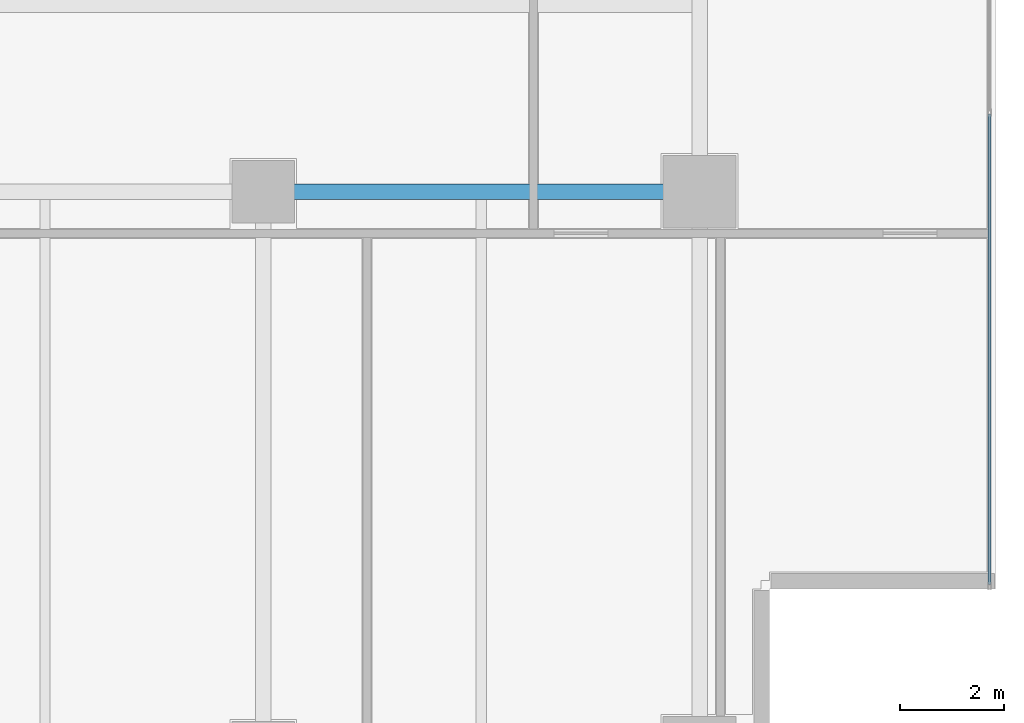
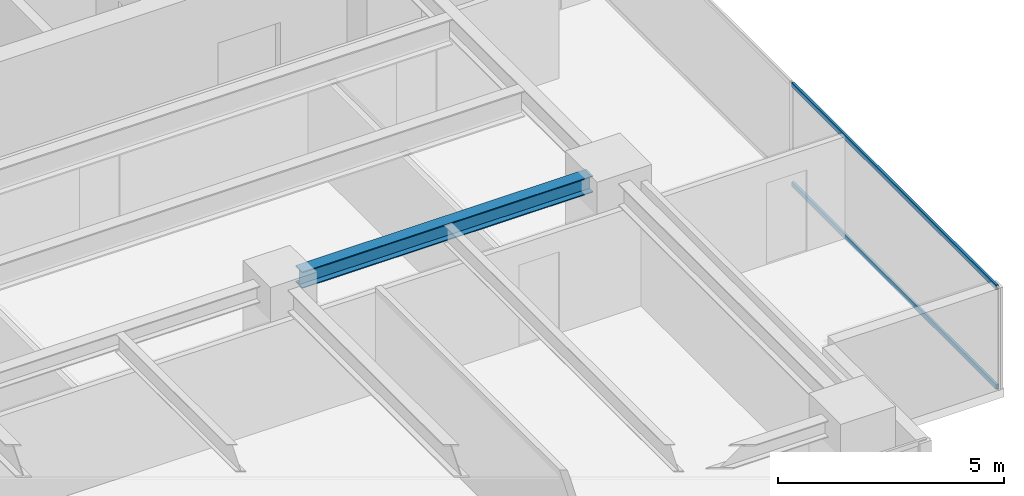
# One storey, part 12 of 25: 2 members, 1 beam, 1 element without a shape of its own.
"""IFC4 building model written with IfcOpenShell, lengths in metres."""

from ifc_helpers import new_model, si_unit, direction, frame, origin, origin_2d, place, context, subcontext, project, spatial, hollow_rectangle, i_section, extrude, source, transform, mapped, material, layer, layer_set, material_profile, profile_set, type_object, element, aggregate, save


model = new_model("IFC4")

# Units and contexts
model_context = context("Model", 3, precision=1e-05, world=origin(), true_north=direction((0.0, 1.0)))
body_context = subcontext(model_context, "Body", "Model", "MODEL_VIEW")
ifc_project = project(units=[si_unit("LENGTHUNIT", "METRE"), si_unit("AREAUNIT", "SQUARE_METRE"), si_unit("VOLUMEUNIT", "CUBIC_METRE"), si_unit("PLANEANGLEUNIT", "RADIAN"), si_unit("MASSUNIT", "GRAM", prefix="KILO")], contexts=[model_context])

# Site, building, storey
site_placement = place(None, origin())
site = spatial("IfcSite", under=ifc_project, at=site_placement, CompositionType="ELEMENT")
building_placement = place(site_placement, origin())
building = spatial("IfcBuilding", under=site, at=building_placement, Name="Sumidabori Civic Tower", CompositionType="ELEMENT")
storey_placement = place(building_placement, frame((0.0, 0.0, 246.800048828125)))
storey = spatial("IfcBuildingStorey", under=building, at=storey_placement, Name="L64", CompositionType="ELEMENT", Elevation=246.800048828125)

# Beam
ifc_material_1 = material(Name="Steel SN490", Category="steel")
ifc_material_profile_1 = material_profile(ifc_material_1, i_section(OverallWidth=0.300048828125, OverallDepth=0.449951171875, WebThickness=0.013916015625, FlangeThickness=0.02587890625, at=origin_2d()), Name="HE 450 B")
ifc_profile_set_1 = profile_set([ifc_material_profile_1], Name="Steel SN490")
beam_type = type_object("IfcBeamType", Name="BM-GIRD-450", PredefinedType="BEAM", material=ifc_profile_set_1)
shared_shape_1 = source(origin(), body_context, "Body", "SweptSolid", [
    extrude(i_section(OverallWidth=0.300048828125, OverallDepth=0.449951171875, WebThickness=0.013916015625, FlangeThickness=0.02587890625, at=origin_2d()), origin(), (0.0, 0.0, 1.0), 7.440185546875),
])
beam_placement = place(storey_placement, frame((8.8798828125, 0.0, 3.14501953125), z_axis=(1.0, 0.0, 0.0), x_axis=(0.0, 1.0, 0.0)))
element("IfcBeam", 1, at=beam_placement, inside=storey, type_object=beam_type, Name="Primary Girder L64 GX-08", PredefinedType="BEAM", context=body_context, shape_type="MappedRepresentation", body=[
    mapped(shared_shape_1, transform((0.0, 0.0, 0.0), x_axis=(1.0, 0.0, 0.0), y_axis=(0.0, 1.0, 0.0), z_axis=(0.0, 0.0, 1.0), scale=1.0)),
])

# Curtain wall, members
ifc_material_2 = material(Name="Anodised Bronze Aluminium AW-6063-T6", Category="aluminium")
ifc_layer = layer(ifc_material_2, 0.179931640625, Name="Anodised Bronze Aluminium AW-6063-T6")
ifc_layer_set = layer_set([ifc_layer], Name="Anodised Bronze Aluminium AW-6063-T6")
curtain_wall_type = type_object("IfcCurtainWallType", Name="CW-SYS-5", PredefinedType="NOTDEFINED", material=ifc_layer_set)
curtain_wall_placement = place(storey_placement, origin())
curtain_wall = element("IfcCurtainWall", 2, at=curtain_wall_placement, inside=storey, type_object=curtain_wall_type, Name="Curtain Wall CW:L64:R04", PredefinedType="NOTDEFINED")
ifc_material_profile_2 = material_profile(ifc_material_2, hollow_rectangle(XDim=0.06005859375, YDim=0.1298828125, WallThickness=0.0048828125, at=origin_2d()), Name="ALU TRANSOM 130x60")
ifc_profile_set_2 = profile_set([ifc_material_profile_2], Name="Anodised Bronze Aluminium AW-6063-T6")
member_type = type_object("IfcMemberType", Name="CW-TRN-130", PredefinedType="USERDEFINED", material=ifc_profile_set_2)
shared_shape_2 = source(origin(), body_context, "Body", "SweptSolid", [
    extrude(hollow_rectangle(XDim=0.06005859375, YDim=0.1298828125, WallThickness=0.0048828125, at=origin_2d()), origin(), (0.0, 0.0, 1.0), 9.056640625),
])
member_1_placement = place(storey_placement, frame((22.3798828125, -7.56005859375, 0.030029296875), z_axis=(0.0, 1.0, 0.0), x_axis=(-1.0, 0.0, 0.0)))
member_1 = element("IfcMember", 3, at=member_1_placement, type_object=member_type, Name="CW-5 transom 1.1", ObjectType="TRANSOM", PredefinedType="USERDEFINED", context=body_context, shape_type="MappedRepresentation", body=[
    mapped(shared_shape_2, transform((0.0, 0.0, 0.0), x_axis=(1.0, 0.0, 0.0), y_axis=(0.0, 1.0, 0.0), z_axis=(0.0, 0.0, 1.0), scale=1.0)),
])
member_2_placement = place(storey_placement, frame((22.3798828125, -7.56005859375, 2.719970703125), z_axis=(0.0, 1.0, 0.0), x_axis=(-1.0, 0.0, 0.0)))
member_2 = element("IfcMember", 4, at=member_2_placement, type_object=member_type, Name="CW-5 transom 1.2", ObjectType="TRANSOM", PredefinedType="USERDEFINED", context=body_context, shape_type="MappedRepresentation", body=[
    mapped(shared_shape_2, transform((0.0, 0.0, 0.0), x_axis=(1.0, 0.0, 0.0), y_axis=(0.0, 1.0, 0.0), z_axis=(0.0, 0.0, 1.0), scale=1.0)),
])
aggregate(curtain_wall, [member_1, member_2])

save(model, "model.ifc")
